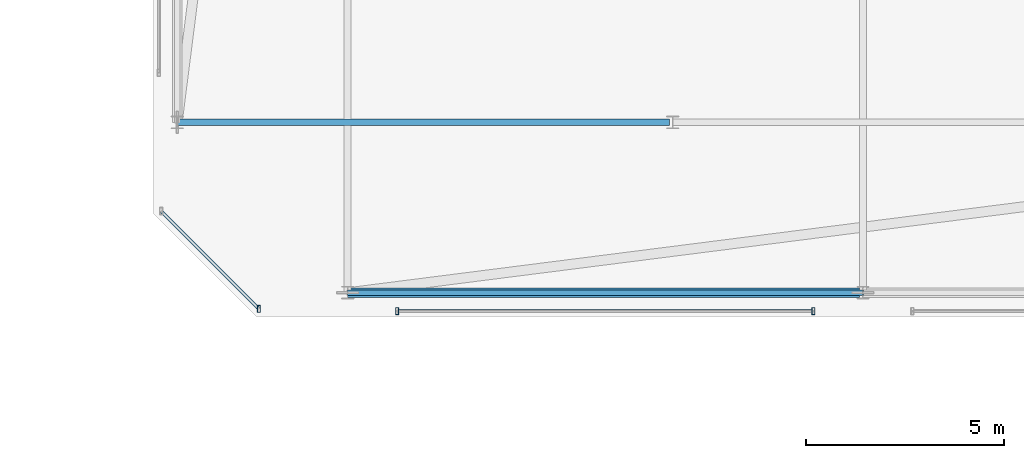
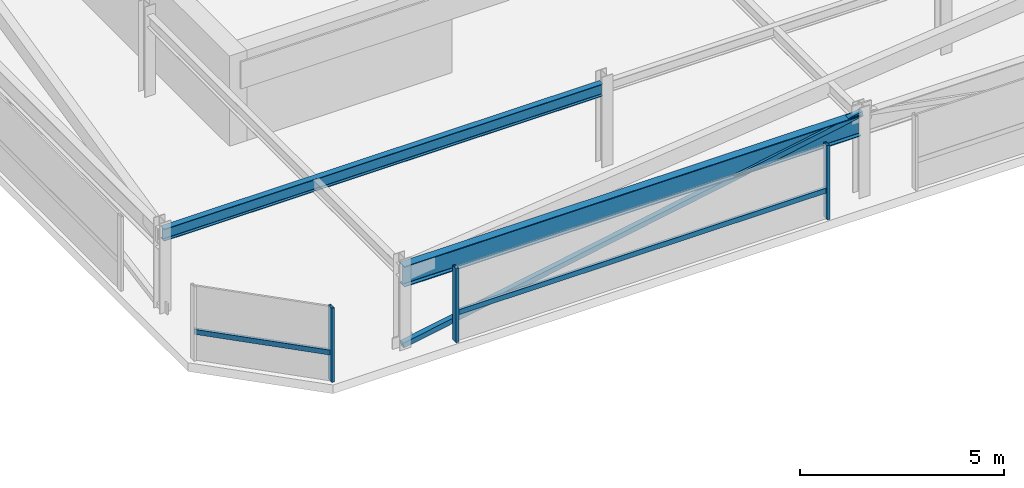
# One storey, part 29 of 44: 6 members, 2 beams, 2 elements without a shape of their own.
"""IFC4 building model written with IfcOpenShell, lengths in metres."""

import ifcopenshell
import ifcopenshell.guid

model = None  # the IFC model being written
_history = None  # IfcOwnerHistory: only IFC2X3 demands one
_inside = {}  # id of a spatial element -> (the spatial element, [elements in it])
_under = {}  # id of a project, library or spatial element -> (it, [spatial elements below it])
_declared = {}  # id of a project -> (the project, [libraries it declares])
_typed = {}  # id of a type object -> (the type object, [elements of that type])
_made_of = {}  # id of a material, layer set ... -> (it, [elements and type objects made of it])


def new_model(schema):
    """Start an empty IFC model of exactly this schema.

    Asked for "IFC4X3", IfcOpenShell would pick the latest addendum, in which some entities
    have other attributes; the version numbers below select the first issue.
    IFC2X3 requires an IfcOwnerHistory on every rooted entity: one is made here for all.
    """
    global model, _history
    if schema == "IFC4X3":
        model = ifcopenshell.file(schema_version=(4, 3, 0, 0))
    else:
        model = ifcopenshell.file(schema=schema)
    _inside.clear()
    _under.clear()
    _declared.clear()
    _typed.clear()
    _made_of.clear()
    _history = None
    if model.schema == "IFC2X3":
        org = make("IfcOrganization", Name="unknown")
        user = make(
            "IfcPersonAndOrganization",
            ThePerson=make("IfcPerson", FamilyName="unknown"),
            TheOrganization=org,
        )
        app = make(
            "IfcApplication",
            ApplicationDeveloper=org,
            Version="unknown",
            ApplicationFullName="unknown",
            ApplicationIdentifier="unknown",
        )
        _history = make(
            "IfcOwnerHistory",
            OwningUser=user,
            OwningApplication=app,
            ChangeAction="ADDED",
            CreationDate=0,
        )
    return model


def make(cls, **values):
    """One entity of the class cls with the attributes given. An attribute that is None is left unset."""
    return model.create_entity(
        cls, **{name: value for name, value in values.items() if value is not None}
    )


def rooted(cls, **values):
    """An entity with a GlobalId (a new one), such as an element, a storey or a relation."""
    return make(cls, GlobalId=ifcopenshell.guid.new(), OwnerHistory=_history, **values)


def si_unit(unit_type, name, prefix=None):
    """IfcSIUnit, for example si_unit("LENGTHUNIT", "METRE", prefix="MILLI")."""
    return make("IfcSIUnit", UnitType=unit_type, Prefix=prefix, Name=name)


def assignment(units):
    """IfcUnitAssignment: the units of a project."""
    return None if units is None else make("IfcUnitAssignment", Units=units)


def point(xyz):
    """IfcCartesianPoint."""
    return None if xyz is None else make("IfcCartesianPoint", Coordinates=xyz)


def direction(xyz):
    """IfcDirection."""
    return None if xyz is None else make("IfcDirection", DirectionRatios=xyz)


def frame(location, z_axis=None, x_axis=None):
    """IfcAxis2Placement3D, a coordinate frame: its origin and axes. An axis left out is left unset."""
    return make(
        "IfcAxis2Placement3D",
        Location=point(location),
        Axis=direction(z_axis),
        RefDirection=direction(x_axis),
    )


def frame_2d(location, x_axis=None):
    """IfcAxis2Placement2D, a coordinate frame in the plane: its origin and x axis."""
    return make(
        "IfcAxis2Placement2D", Location=point(location), RefDirection=direction(x_axis)
    )


def origin():
    """The frame at (0, 0, 0) with its axes left unset."""
    return frame((0.0, 0.0, 0.0))


def origin_2d():
    """The frame at (0, 0) in the plane with its x axis left unset."""
    return frame_2d((0.0, 0.0))


def place(relative_to, where):
    """IfcLocalPlacement: puts the frame where relative to a parent placement (None: the world)."""
    return make(
        "IfcLocalPlacement", PlacementRelTo=relative_to, RelativePlacement=where
    )


def context(
    kind, dimensions, precision=None, world=None, true_north=None, identifier=None
):
    """IfcGeometricRepresentationContext, for example the 3D "Model" context."""
    return make(
        "IfcGeometricRepresentationContext",
        ContextIdentifier=identifier,
        ContextType=kind,
        CoordinateSpaceDimension=dimensions,
        Precision=precision,
        WorldCoordinateSystem=world,
        TrueNorth=true_north,
    )


def subcontext(parent, identifier, kind, view, scale=None):
    """IfcGeometricRepresentationSubContext, for example "Body" below "Model"."""
    return make(
        "IfcGeometricRepresentationSubContext",
        ContextIdentifier=identifier,
        ContextType=kind,
        ParentContext=parent,
        TargetScale=scale,
        TargetView=view,
    )


def project(units=None, contexts=None):
    """IfcProject with its units and contexts."""
    return rooted(
        "IfcProject",
        Name="project",
        RepresentationContexts=contexts,
        UnitsInContext=assignment(units),
    )


def spatial(cls, under=None, at=None, **own):
    """A site, building, storey or space (cls), placed at a placement, below another one or the project."""
    s = rooted(cls, ObjectPlacement=at, **own)
    if under is not None:
        _under.setdefault(under.id(), (under, []))[1].append(s)
    return s


def profile(cls, at=None, kind="AREA", **sizes):
    """A parametric profile (cls). Its sizes go by their IFC names, for example OverallWidth=200.0."""
    return make(cls, ProfileType=kind, Position=at, **sizes)


def hollow_rectangle(**sizes):
    """IfcRectangleHollowProfileDef."""
    return profile("IfcRectangleHollowProfileDef", **sizes)


def i_section(**sizes):
    """IfcIShapeProfileDef."""
    return profile("IfcIShapeProfileDef", **sizes)


def extrude(swept, where, along, depth):
    """IfcExtrudedAreaSolid: the profile swept, set in the frame where, extruded along a direction by depth."""
    return make(
        "IfcExtrudedAreaSolid",
        SweptArea=swept,
        Position=where,
        ExtrudedDirection=direction(along),
        Depth=depth,
    )


def shape(context_of_items, identifier, shape_type, items):
    """IfcShapeRepresentation: the items that make up one representation, for example the "Body"."""
    return make(
        "IfcShapeRepresentation",
        ContextOfItems=context_of_items,
        RepresentationIdentifier=identifier,
        RepresentationType=shape_type,
        Items=items,
    )


def material(Name=None, Category=None):
    """IfcMaterial."""
    return make("IfcMaterial", Name=Name, Category=Category)


def material_profile(
    of_material, cross_section, Name=None, Category=None, Priority=None
):
    """IfcMaterialProfile: a cross section and its material."""
    return make(
        "IfcMaterialProfile",
        Name=Name,
        Material=of_material,
        Profile=cross_section,
        Priority=Priority,
        Category=Category,
    )


def profile_set(profiles, Name=None, composite=None):
    """IfcMaterialProfileSet."""
    return make(
        "IfcMaterialProfileSet",
        Name=Name,
        MaterialProfiles=profiles,
        CompositeProfile=composite,
    )


def made_of(thing, what):
    """Note that an element or type object is made of a material, layer set ...; save() writes the relation."""
    if what is not None:
        _made_of.setdefault(what.id(), (what, []))[1].append(thing)
    return thing


def type_object(cls, material=None, **own):
    """A type object (cls), such as IfcWallType, which elements share."""
    return made_of(rooted(cls, **own), material)


def element(
    cls,
    number,
    at=None,
    inside=None,
    cuts=None,
    type_object=None,
    material=None,
    context=None,
    identifier="Body",
    shape_type=None,
    held_by="IfcProductDefinitionShape",
    body=None,
    shapes=None,
    **own,
):
    """One element of the class cls, such as IfcWall. Its Tag is "e" and its number.

    at: its placement. inside: the storey or other place that contains it. cuts: it is an
    opening in that element (IfcRelVoidsElement). A single representation is given by context,
    identifier, shape_type and body (its items); several are given by shapes. held_by: the class
    of the entity that holds the representations. save() writes the other relations.
    """
    e = rooted(cls, Tag="e%d" % number, ObjectPlacement=at, **own)
    if body is not None:
        shapes = [shape(context, identifier, shape_type, body)]
    if shapes is not None:
        e.Representation = make(held_by, Representations=shapes)
    if inside is not None:
        _inside.setdefault(inside.id(), (inside, []))[1].append(e)
    if cuts is not None:
        rooted(
            "IfcRelVoidsElement", RelatingBuildingElement=cuts, RelatedOpeningElement=e
        )
    if type_object is not None:
        _typed.setdefault(type_object.id(), (type_object, []))[1].append(e)
    return made_of(e, material)


def aggregate(whole, parts):
    """IfcRelAggregates: a whole, such as a stair, and the parts it consists of."""
    return rooted("IfcRelAggregates", RelatingObject=whole, RelatedObjects=parts)


def save(model, path):
    """Write the relations noted so far, then the file.

    IfcRelAggregates (storeys below a building ...), IfcRelContainedInSpatialStructure (elements
    in a storey), IfcRelDefinesByType, IfcRelAssociatesMaterial and IfcRelDeclares: one each for
    every whole, place, type object, material and project.
    """
    for whole, parts in _under.values():
        aggregate(whole, parts)
    for where, things in _inside.values():
        rooted(
            "IfcRelContainedInSpatialStructure",
            RelatedElements=things,
            RelatingStructure=where,
        )
    for kind, things in _typed.values():
        rooted("IfcRelDefinesByType", RelatedObjects=things, RelatingType=kind)
    for what, things in _made_of.values():
        rooted("IfcRelAssociatesMaterial", RelatedObjects=things, RelatingMaterial=what)
    for by, libraries in _declared.values():
        rooted("IfcRelDeclares", RelatingContext=by, RelatedDefinitions=libraries)
    model.write(path)


model = new_model("IFC4")

# Units and contexts
model_context = context("Model", 3, precision=1e-05, world=origin(), true_north=direction((0.0, 1.0)))
body_context = subcontext(model_context, "Body", "Model", "MODEL_VIEW")
ifc_project = project(units=[si_unit("LENGTHUNIT", "METRE"), si_unit("AREAUNIT", "SQUARE_METRE"), si_unit("VOLUMEUNIT", "CUBIC_METRE"), si_unit("PLANEANGLEUNIT", "RADIAN"), si_unit("MASSUNIT", "GRAM", prefix="KILO")], contexts=[model_context])

# Site, building, storey
site_placement = place(None, origin())
site = spatial("IfcSite", under=ifc_project, at=site_placement, CompositionType="ELEMENT")
building_placement = place(site_placement, origin())
building = spatial("IfcBuilding", under=site, at=building_placement, Name="Thornwick Lancets Civic Towers", CompositionType="ELEMENT")
storey_placement = place(building_placement, frame((0.0, 0.0, 294.89990234375)))
storey = spatial("IfcBuildingStorey", under=building, at=storey_placement, Name="C06", CompositionType="ELEMENT", Elevation=294.89990234375)

# Beams
ifc_material_1 = material(Name="Steel S355JR", Category="steel")
ifc_material_profile_1 = material_profile(ifc_material_1, i_section(OverallWidth=0.230224609375, OverallDepth=0.6171875, WebThickness=0.01318359375, FlangeThickness=0.022216796875, FilletRadius=0.0126953125, at=origin_2d()), Name="UKB 610x229x140")
ifc_profile_set_1 = profile_set([ifc_material_profile_1], Name="Steel S355JR")
beam_type_1 = type_object("IfcBeamType", Name="BM_GIRD_610_140", PredefinedType="BEAM", material=ifc_profile_set_1)
beam_1_placement = place(storey_placement, frame((88.419921875, 9.699951171875, 2.131591796875), z_axis=(-1.0, 0.0, 0.0), x_axis=(0.0, -1.0, 0.0)))
element("IfcBeam", 1, at=beam_1_placement, inside=storey, type_object=beam_type_1, Name="BM-SPINE-C06-B-10-11", PredefinedType="BEAM", context=body_context, shape_type="SweptSolid", body=[
    extrude(i_section(OverallWidth=0.230224609375, OverallDepth=0.6171875, WebThickness=0.01318359375, FlangeThickness=0.022216796875, FilletRadius=0.0126953125, at=origin_2d()), origin(), (0.0, 0.0, 1.0), 12.919921875),
])
ifc_material_profile_2 = material_profile(ifc_material_1, i_section(OverallWidth=0.173095703125, OverallDepth=0.36328125, WebThickness=0.009033203125, FlangeThickness=0.015625, FilletRadius=0.01025390625, at=origin_2d()), Name="UKB 356x171x67")
ifc_profile_set_2 = profile_set([ifc_material_profile_2], Name="Steel S355JR")
beam_type_2 = type_object("IfcBeamType", Name="BM_JOIST_356_67", PredefinedType="JOIST", material=ifc_profile_set_2)
beam_2_placement = place(storey_placement, frame((83.6201171875, 14.0, 2.25830078125), z_axis=(-1.0, 0.0, 0.0), x_axis=(0.0, -1.0, 0.0)))
element("IfcBeam", 2, at=beam_2_placement, inside=storey, type_object=beam_type_2, Name="BM-RADIN-C06-B07", PredefinedType="JOIST", context=body_context, shape_type="SweptSolid", body=[
    extrude(i_section(OverallWidth=0.173095703125, OverallDepth=0.36328125, WebThickness=0.009033203125, FlangeThickness=0.015625, FilletRadius=0.01025390625, at=origin_2d()), origin(), (0.0, 0.0, 1.0), 12.420166015625),
])

# Curtain wall, members
ifc_material_2 = material(Name="Crown ring acoustic-louvre and glazing screen wall", Category="glass")
curtain_wall_type = type_object("IfcCurtainWallType", Name="CW_SYS_07", PredefinedType="NOTDEFINED", material=ifc_material_2)
curtain_wall_1_placement = place(storey_placement, origin())
curtain_wall_1 = element("IfcCurtainWall", 3, at=curtain_wall_1_placement, inside=storey, type_object=curtain_wall_type, Name="C06 Curtain Wall CW-C06-B-E0-S1", PredefinedType="NOTDEFINED")
ifc_material_3 = material(Name="Thermally broken bronze aluminium S355", Category="steel")
ifc_material_profile_3 = material_profile(ifc_material_3, hollow_rectangle(XDim=0.074951171875, YDim=0.179931640625, WallThickness=0.006103515625, at=origin_2d()), Name="RHS 180x75x6")
ifc_profile_set_3 = profile_set([ifc_material_profile_3], Name="Thermally broken bronze aluminium S355")
member_type_1 = type_object("IfcMemberType", Name="CW_MUL_180", PredefinedType="MULLION", material=ifc_profile_set_3)
member_1_placement = place(storey_placement, frame((76.75, 9.2353515625, 0.0), z_axis=(0.0, 0.0, 1.0), x_axis=(1.0, 0.0, 0.0)))
member_1 = element("IfcMember", 4, at=member_1_placement, type_object=member_type_1, Name="CW-C06-B-E0-S1 Mullion 0", PredefinedType="MULLION", context=body_context, shape_type="SweptSolid", body=[
    extrude(hollow_rectangle(XDim=0.074951171875, YDim=0.179931640625, WallThickness=0.006103515625, at=origin_2d()), origin(), (0.0, 0.0, 1.0), 2.22021484375),
])
member_2_placement = place(storey_placement, frame((87.25, 9.2353515625, 0.0), z_axis=(0.0, 0.0, 1.0), x_axis=(1.0, 0.0, 0.0)))
member_2 = element("IfcMember", 5, at=member_2_placement, type_object=member_type_1, Name="CW-C06-B-E0-S1 Mullion 1", PredefinedType="MULLION", context=body_context, shape_type="SweptSolid", body=[
    extrude(hollow_rectangle(XDim=0.074951171875, YDim=0.179931640625, WallThickness=0.006103515625, at=origin_2d()), origin(), (0.0, 0.0, 1.0), 2.22021484375),
])

# Curtain wall, member
curtain_wall_2_placement = place(storey_placement, origin())
curtain_wall_2 = element("IfcCurtainWall", 6, at=curtain_wall_2_placement, inside=storey, type_object=curtain_wall_type, Name="C06 Curtain Wall CW-C06-B-E7", PredefinedType="NOTDEFINED")
member_3_placement = place(storey_placement, frame((73.261962890625, 9.2919921875, 0.0), z_axis=(0.0, 0.0, 1.0), x_axis=(1.0, 0.0, 0.0)))
member_3 = element("IfcMember", 7, at=member_3_placement, type_object=member_type_1, Name="CW-C06-B-E7 Mullion 1", PredefinedType="MULLION", context=body_context, shape_type="SweptSolid", body=[
    extrude(hollow_rectangle(XDim=0.074951171875, YDim=0.179931640625, WallThickness=0.006103515625, at=origin_2d()), origin(), (0.0, 0.0, 1.0), 2.22021484375),
])

# Member
ifc_material_profile_4 = material_profile(ifc_material_3, hollow_rectangle(XDim=0.074951171875, YDim=0.14990234375, WallThickness=0.0048828125, at=origin_2d()), Name="RHS 150x75x5")
ifc_profile_set_4 = profile_set([ifc_material_profile_4], Name="Thermally broken bronze aluminium S355")
member_type_2 = type_object("IfcMemberType", Name="CW_TRN_150", PredefinedType="USERDEFINED", material=ifc_profile_set_4)
member_4_placement = place(storey_placement, frame((76.77001953125, 9.2353515625, 0.85009765625), z_axis=(1.0, 0.0, 0.0), x_axis=(0.0, 1.0, 0.0)))
member_4 = element("IfcMember", 8, at=member_4_placement, type_object=member_type_2, Name="CW-C06-B-E0-S1 Transom 0", ObjectType="TRANSOM", PredefinedType="USERDEFINED", context=body_context, shape_type="SweptSolid", body=[
    extrude(hollow_rectangle(XDim=0.074951171875, YDim=0.14990234375, WallThickness=0.0048828125, at=origin_2d()), origin(), (0.0, 0.0, 1.0), 10.4599609375),
])

aggregate(curtain_wall_1, [member_1, member_2, member_4])

member_5_placement = place(storey_placement, frame((70.80615234375, 11.747802734375, 0.85009765625), z_axis=(0.707106781187, -0.707106781187, 0.0), x_axis=(0.707106781187, 0.707106781187, 0.0)))
member_5 = element("IfcMember", 9, at=member_5_placement, type_object=member_type_2, Name="CW-C06-B-E7 Transom 0", ObjectType="TRANSOM", PredefinedType="USERDEFINED", context=body_context, shape_type="SweptSolid", body=[
    extrude(hollow_rectangle(XDim=0.074951171875, YDim=0.14990234375, WallThickness=0.0048828125, at=origin_2d()), origin(), (0.0, 0.0, 1.0), 3.453125),
])

aggregate(curtain_wall_2, [member_3, member_5])

ifc_material_profile_5 = material_profile(ifc_material_1, hollow_rectangle(XDim=0.14990234375, YDim=0.14990234375, WallThickness=0.010009765625, at=origin_2d()), Name="SHS 150x150x10")
ifc_profile_set_5 = profile_set([ifc_material_profile_5], Name="Steel S355JR")
member_type_3 = type_object("IfcMemberType", Name="MEM_CROWN_SHS150", PredefinedType="BRACE", material=ifc_profile_set_5)
member_6_placement = place(storey_placement, frame((75.5, 9.699951171875, 0.050048828125), z_axis=(0.983515136313, 0.0, 0.180825818519), x_axis=(0.0, 1.0, 0.0)))
element("IfcMember", 10, at=member_6_placement, inside=storey, type_object=member_type_3, Name="C06 Crown Ring Lancet Rib B-S3-R", PredefinedType="BRACE", context=body_context, shape_type="SweptSolid", body=[
    extrude(hollow_rectangle(XDim=0.14990234375, YDim=0.14990234375, WallThickness=0.010009765625, at=origin_2d()), origin(), (0.0, 0.0, 1.0), 13.2177734375),
])

save(model, "model.ifc")
